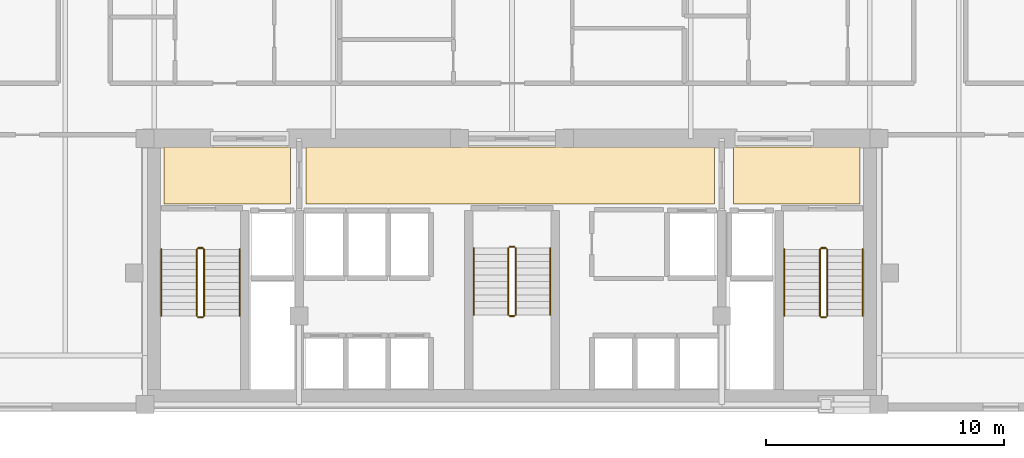
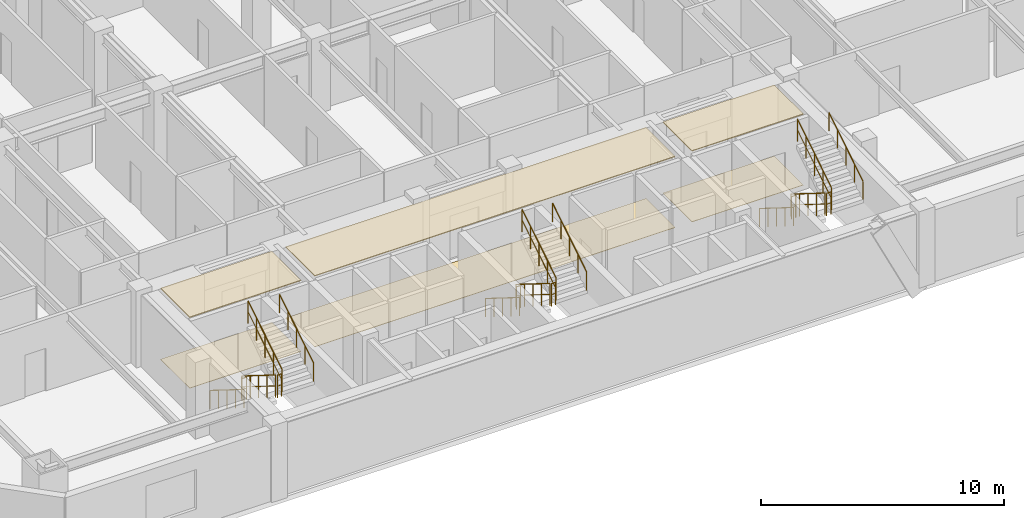
# One storey, part 9 of 10: 18 railings, 6 coverings.
"""IFC4 building model written with IfcOpenShell, lengths in metres."""

from ifc_helpers import new_model, si_unit, direction, frame, origin, origin_2d, place, context, subcontext, project, spatial, polyline, circle, outline, extrude, material, layer, layer_set, type_object, element, save


model = new_model("IFC4")

# Units and contexts
model_context = context("Model", 3, precision=1e-05, world=origin(), true_north=direction((0.0, 1.0)))
body_context = subcontext(model_context, "Body", "Model", "MODEL_VIEW")
ifc_project = project(units=[si_unit("LENGTHUNIT", "METRE"), si_unit("AREAUNIT", "SQUARE_METRE"), si_unit("VOLUMEUNIT", "CUBIC_METRE"), si_unit("PLANEANGLEUNIT", "RADIAN"), si_unit("MASSUNIT", "GRAM", prefix="KILO")], contexts=[model_context])

# Site, building, storey
site_placement = place(None, origin())
site = spatial("IfcSite", under=ifc_project, at=site_placement, CompositionType="ELEMENT")
building_placement = place(site_placement, origin())
building = spatial("IfcBuilding", under=site, at=building_placement, Name="Ventersveld Concourse Tower", CompositionType="ELEMENT")
storey_placement = place(building_placement, frame((0.0, 0.0, 60.60009765625)))
storey = spatial("IfcBuildingStorey", under=building, at=storey_placement, Name="L14", CompositionType="ELEMENT", Elevation=60.60009765625)

# Coverings
ifc_material_1 = material(Name="Mineral-fibre acoustic ceiling tile", Category="gypsum")
ifc_layer_1 = layer(ifc_material_1, 0.0400390625)
ifc_layer_set_1 = layer_set([ifc_layer_1], Name="Mineral-fibre acoustic ceiling tile")
covering_type_1 = type_object("IfcCoveringType", Name="COV-CEIL-ACOUSTIC", PredefinedType="CEILING", material=ifc_layer_set_1)
covering_1_placement = place(storey_placement, frame((0.0, 0.0, 3.559814453125)))
element("IfcCovering", 1, at=covering_1_placement, inside=storey, type_object=covering_type_1, Name="L14 North Lift Lobby Acoustic Ceiling", PredefinedType="CEILING", context=body_context, shape_type="SweptSolid", body=[
    extrude(outline(polyline([(20.10009765625, 8.699951171875), (37.25, 8.699951171875), (37.25, 11.10009765625), (20.10009765625, 11.10009765625), (20.10009765625, 8.699951171875)])), origin(), (0.0, 0.0, 1.0), 0.0400390625),
])
covering_2_placement = place(storey_placement, frame((0.0, 0.0, 3.559814453125)))
element("IfcCovering", 2, at=covering_2_placement, inside=storey, type_object=covering_type_1, Name="L14 West Firefighting Lobby Acoustic Ceiling", PredefinedType="CEILING", context=body_context, shape_type="SweptSolid", body=[
    extrude(outline(polyline([(14.14990234375, 8.699951171875), (19.449951171875, 8.699951171875), (19.449951171875, 11.10009765625), (14.14990234375, 11.10009765625), (14.14990234375, 8.699951171875)])), origin(), (0.0, 0.0, 1.0), 0.0400390625),
])
covering_3_placement = place(storey_placement, frame((0.0, 0.0, 3.559814453125)))
element("IfcCovering", 3, at=covering_3_placement, inside=storey, type_object=covering_type_1, Name="L14 East Firefighting Lobby Acoustic Ceiling", PredefinedType="CEILING", context=body_context, shape_type="SweptSolid", body=[
    extrude(outline(polyline([(38.050048828125, 8.699951171875), (43.35009765625, 8.699951171875), (43.35009765625, 11.10009765625), (38.050048828125, 11.10009765625), (38.050048828125, 8.699951171875)])), origin(), (0.0, 0.0, 1.0), 0.0400390625),
])
ifc_material_2 = material(Name="Polished Highveld granite terrazzo", Category="masonry")
ifc_layer_2 = layer(ifc_material_2, 0.02001953125)
ifc_layer_set_2 = layer_set([ifc_layer_2], Name="Polished Highveld granite terrazzo")
covering_type_2 = type_object("IfcCoveringType", Name="COV-FLOOR-TERRAZZO", PredefinedType="FLOORING", material=ifc_layer_set_2)
covering_4_placement = place(storey_placement, origin())
element("IfcCovering", 4, at=covering_4_placement, inside=storey, type_object=covering_type_2, Name="L14 North Lift Lobby Terrazzo Flooring", PredefinedType="FLOORING", context=body_context, shape_type="SweptSolid", body=[
    extrude(outline(polyline([(20.10009765625, 8.699951171875), (37.25, 8.699951171875), (37.25, 11.10009765625), (20.10009765625, 11.10009765625), (20.10009765625, 8.699951171875)])), origin(), (0.0, 0.0, 1.0), 0.02001953125),
])
covering_5_placement = place(storey_placement, origin())
element("IfcCovering", 5, at=covering_5_placement, inside=storey, type_object=covering_type_2, Name="L14 West Firefighting Lobby Terrazzo Flooring", PredefinedType="FLOORING", context=body_context, shape_type="SweptSolid", body=[
    extrude(outline(polyline([(14.14990234375, 8.699951171875), (19.449951171875, 8.699951171875), (19.449951171875, 11.10009765625), (14.14990234375, 11.10009765625), (14.14990234375, 8.699951171875)])), origin(), (0.0, 0.0, 1.0), 0.02001953125),
])
covering_6_placement = place(storey_placement, origin())
element("IfcCovering", 6, at=covering_6_placement, inside=storey, type_object=covering_type_2, Name="L14 East Firefighting Lobby Terrazzo Flooring", PredefinedType="FLOORING", context=body_context, shape_type="SweptSolid", body=[
    extrude(outline(polyline([(38.050048828125, 8.699951171875), (43.35009765625, 8.699951171875), (43.35009765625, 11.10009765625), (38.050048828125, 11.10009765625), (38.050048828125, 8.699951171875)])), origin(), (0.0, 0.0, 1.0), 0.02001953125),
])

# Railings
ifc_material_3 = material(Name="Brushed stainless steel 316", Category="steel")
railing_type_1 = type_object("IfcRailingType", Name="GD-BAL-115", PredefinedType="GUARDRAIL", material=ifc_material_3)
railing_1_placement = place(storey_placement, frame((15.530029296875, 6.800048828125, 0.1748046875)))
element("IfcRailing", 7, at=railing_1_placement, inside=storey, type_object=railing_type_1, Name="L14 ST-01 stair guard 1", PredefinedType="GUARDRAIL", context=body_context, shape_type="SweptSolid", body=[
    extrude(circle(Radius=0.02392578125, at=origin_2d()), frame((0.0, 0.0, 1.1259765625), z_axis=(0.0, -0.848002457836, 0.529992293815), x_axis=(1.0, 0.0, 0.0)), (0.0, 0.0, 1.0), 3.302001953125),
    extrude(circle(Radius=0.01611328125, at=origin_2d()), frame((0.0, 0.0, 0.574951171875), z_axis=(0.0, -0.848002457836, 0.529992293815), x_axis=(1.0, 0.0, 0.0)), (0.0, 0.0, 1.0), 3.302001953125),
    extrude(circle(Radius=0.02099609375, at=origin_2d()), origin(), (0.0, 0.0, 1.0), 1.101806640625),
    extrude(circle(Radius=0.02099609375, at=origin_2d()), frame((0.0, -0.699951171875, 0.4375)), (0.0, 0.0, 1.0), 1.101806640625),
    extrude(circle(Radius=0.02099609375, at=origin_2d()), frame((0.0, -1.39990234375, 0.875)), (0.0, 0.0, 1.0), 1.101806640625),
    extrude(circle(Radius=0.02099609375, at=origin_2d()), frame((0.0, -2.10009765625, 1.3125)), (0.0, 0.0, 1.0), 1.101806640625),
    extrude(circle(Radius=0.02099609375, at=origin_2d()), frame((0.0, -2.800048828125, 1.75)), (0.0, 0.0, 1.0), 1.101806640625),
])
railing_2_placement = place(storey_placement, frame((15.580078125, 3.949951171875, 1.9248046875)))
element("IfcRailing", 8, at=railing_2_placement, inside=storey, type_object=railing_type_1, Name="L14 ST-01 stair guard 2", PredefinedType="GUARDRAIL", context=body_context, shape_type="SweptSolid", body=[
    extrude(circle(Radius=0.02392578125, at=origin_2d()), frame((0.0, 0.0, 1.1259765625), z_axis=(1.0, 0.0, 0.0), x_axis=(0.0, 1.0, 0.0)), (0.0, 0.0, 1.0), 0.199951171875),
    extrude(circle(Radius=0.01611328125, at=origin_2d()), frame((0.0, 0.0, 0.574951171875), z_axis=(1.0, 0.0, 0.0), x_axis=(0.0, 1.0, 0.0)), (0.0, 0.0, 1.0), 0.199951171875),
    extrude(circle(Radius=0.02099609375, at=origin_2d()), origin(), (0.0, 0.0, 1.0), 1.101806640625),
    extrude(circle(Radius=0.02099609375, at=origin_2d()), frame((0.199951171875, 0.0, 0.0)), (0.0, 0.0, 1.0), 1.101806640625),
])
railing_3_placement = place(storey_placement, frame((15.830078125, 4.0, 2.099853515625)))
element("IfcRailing", 9, at=railing_3_placement, inside=storey, type_object=railing_type_1, Name="L14 ST-01 stair guard 3", PredefinedType="GUARDRAIL", context=body_context, shape_type="SweptSolid", body=[
    extrude(circle(Radius=0.02392578125, at=origin_2d()), frame((0.0, 0.0, 1.1259765625), z_axis=(0.0, 0.848002457836, 0.529992293815), x_axis=(-1.0, 0.0, 0.0)), (0.0, 0.0, 1.0), 3.302001953125),
    extrude(circle(Radius=0.01611328125, at=origin_2d()), frame((0.0, 0.0, 0.574951171875), z_axis=(0.0, 0.848002457836, 0.529992293815), x_axis=(-1.0, 0.0, 0.0)), (0.0, 0.0, 1.0), 3.302001953125),
    extrude(circle(Radius=0.02099609375, at=origin_2d()), origin(), (0.0, 0.0, 1.0), 1.101806640625),
    extrude(circle(Radius=0.02099609375, at=origin_2d()), frame((0.0, 0.699951171875, 0.4375)), (0.0, 0.0, 1.0), 1.101806640625),
    extrude(circle(Radius=0.02099609375, at=origin_2d()), frame((0.0, 1.39990234375, 0.875)), (0.0, 0.0, 1.0), 1.101806640625),
    extrude(circle(Radius=0.02099609375, at=origin_2d()), frame((0.0, 2.10009765625, 1.3125)), (0.0, 0.0, 1.0), 1.101806640625),
    extrude(circle(Radius=0.02099609375, at=origin_2d()), frame((0.0, 2.800048828125, 1.75)), (0.0, 0.0, 1.0), 1.101806640625),
])
railing_4_placement = place(storey_placement, frame((15.580078125, 6.85009765625, 0.0)))
element("IfcRailing", 10, at=railing_4_placement, inside=storey, type_object=railing_type_1, Name="L14 ST-01 stair guard 4", PredefinedType="GUARDRAIL", context=body_context, shape_type="SweptSolid", body=[
    extrude(circle(Radius=0.02392578125, at=origin_2d()), frame((0.0, 0.0, 1.1259765625), z_axis=(1.0, 0.0, 0.0), x_axis=(0.0, 1.0, 0.0)), (0.0, 0.0, 1.0), 0.199951171875),
    extrude(circle(Radius=0.01611328125, at=origin_2d()), frame((0.0, 0.0, 0.574951171875), z_axis=(1.0, 0.0, 0.0), x_axis=(0.0, 1.0, 0.0)), (0.0, 0.0, 1.0), 0.199951171875),
    extrude(circle(Radius=0.02099609375, at=origin_2d()), origin(), (0.0, 0.0, 1.0), 1.101806640625),
    extrude(circle(Radius=0.02099609375, at=origin_2d()), frame((0.199951171875, 0.0, 0.0)), (0.0, 0.0, 1.0), 1.101806640625),
])
railing_5_placement = place(storey_placement, frame((41.669921875, 6.800048828125, 0.1748046875)))
element("IfcRailing", 11, at=railing_5_placement, inside=storey, type_object=railing_type_1, Name="L14 ST-02 stair guard 1", PredefinedType="GUARDRAIL", context=body_context, shape_type="SweptSolid", body=[
    extrude(circle(Radius=0.02392578125, at=origin_2d()), frame((0.0, 0.0, 1.1259765625), z_axis=(0.0, -0.848002457836, 0.529992293815), x_axis=(1.0, 0.0, 0.0)), (0.0, 0.0, 1.0), 3.302001953125),
    extrude(circle(Radius=0.01611328125, at=origin_2d()), frame((0.0, 0.0, 0.574951171875), z_axis=(0.0, -0.848002457836, 0.529992293815), x_axis=(1.0, 0.0, 0.0)), (0.0, 0.0, 1.0), 3.302001953125),
    extrude(circle(Radius=0.02099609375, at=origin_2d()), origin(), (0.0, 0.0, 1.0), 1.101806640625),
    extrude(circle(Radius=0.02099609375, at=origin_2d()), frame((0.0, -0.699951171875, 0.4375)), (0.0, 0.0, 1.0), 1.101806640625),
    extrude(circle(Radius=0.02099609375, at=origin_2d()), frame((0.0, -1.39990234375, 0.875)), (0.0, 0.0, 1.0), 1.101806640625),
    extrude(circle(Radius=0.02099609375, at=origin_2d()), frame((0.0, -2.10009765625, 1.3125)), (0.0, 0.0, 1.0), 1.101806640625),
    extrude(circle(Radius=0.02099609375, at=origin_2d()), frame((0.0, -2.800048828125, 1.75)), (0.0, 0.0, 1.0), 1.101806640625),
])
railing_6_placement = place(storey_placement, frame((41.719970703125, 3.949951171875, 1.9248046875)))
element("IfcRailing", 12, at=railing_6_placement, inside=storey, type_object=railing_type_1, Name="L14 ST-02 stair guard 2", PredefinedType="GUARDRAIL", context=body_context, shape_type="SweptSolid", body=[
    extrude(circle(Radius=0.02392578125, at=origin_2d()), frame((0.0, 0.0, 1.1259765625), z_axis=(1.0, 0.0, 0.0), x_axis=(0.0, 1.0, 0.0)), (0.0, 0.0, 1.0), 0.199951171875),
    extrude(circle(Radius=0.01611328125, at=origin_2d()), frame((0.0, 0.0, 0.574951171875), z_axis=(1.0, 0.0, 0.0), x_axis=(0.0, 1.0, 0.0)), (0.0, 0.0, 1.0), 0.199951171875),
    extrude(circle(Radius=0.02099609375, at=origin_2d()), origin(), (0.0, 0.0, 1.0), 1.101806640625),
    extrude(circle(Radius=0.02099609375, at=origin_2d()), frame((0.199951171875, 0.0, 0.0)), (0.0, 0.0, 1.0), 1.101806640625),
])
railing_7_placement = place(storey_placement, frame((41.969970703125, 4.0, 2.099853515625)))
element("IfcRailing", 13, at=railing_7_placement, inside=storey, type_object=railing_type_1, Name="L14 ST-02 stair guard 3", PredefinedType="GUARDRAIL", context=body_context, shape_type="SweptSolid", body=[
    extrude(circle(Radius=0.02392578125, at=origin_2d()), frame((0.0, 0.0, 1.1259765625), z_axis=(0.0, 0.848002457836, 0.529992293815), x_axis=(-1.0, 0.0, 0.0)), (0.0, 0.0, 1.0), 3.302001953125),
    extrude(circle(Radius=0.01611328125, at=origin_2d()), frame((0.0, 0.0, 0.574951171875), z_axis=(0.0, 0.848002457836, 0.529992293815), x_axis=(-1.0, 0.0, 0.0)), (0.0, 0.0, 1.0), 3.302001953125),
    extrude(circle(Radius=0.02099609375, at=origin_2d()), origin(), (0.0, 0.0, 1.0), 1.101806640625),
    extrude(circle(Radius=0.02099609375, at=origin_2d()), frame((0.0, 0.699951171875, 0.4375)), (0.0, 0.0, 1.0), 1.101806640625),
    extrude(circle(Radius=0.02099609375, at=origin_2d()), frame((0.0, 1.39990234375, 0.875)), (0.0, 0.0, 1.0), 1.101806640625),
    extrude(circle(Radius=0.02099609375, at=origin_2d()), frame((0.0, 2.10009765625, 1.3125)), (0.0, 0.0, 1.0), 1.101806640625),
    extrude(circle(Radius=0.02099609375, at=origin_2d()), frame((0.0, 2.800048828125, 1.75)), (0.0, 0.0, 1.0), 1.101806640625),
])
railing_8_placement = place(storey_placement, frame((41.719970703125, 6.85009765625, 0.0)))
element("IfcRailing", 14, at=railing_8_placement, inside=storey, type_object=railing_type_1, Name="L14 ST-02 stair guard 4", PredefinedType="GUARDRAIL", context=body_context, shape_type="SweptSolid", body=[
    extrude(circle(Radius=0.02392578125, at=origin_2d()), frame((0.0, 0.0, 1.1259765625), z_axis=(1.0, 0.0, 0.0), x_axis=(0.0, 1.0, 0.0)), (0.0, 0.0, 1.0), 0.199951171875),
    extrude(circle(Radius=0.01611328125, at=origin_2d()), frame((0.0, 0.0, 0.574951171875), z_axis=(1.0, 0.0, 0.0), x_axis=(0.0, 1.0, 0.0)), (0.0, 0.0, 1.0), 0.199951171875),
    extrude(circle(Radius=0.02099609375, at=origin_2d()), origin(), (0.0, 0.0, 1.0), 1.101806640625),
    extrude(circle(Radius=0.02099609375, at=origin_2d()), frame((0.199951171875, 0.0, 0.0)), (0.0, 0.0, 1.0), 1.101806640625),
])
railing_9_placement = place(storey_placement, frame((28.60009765625, 6.85009765625, 0.1748046875)))
element("IfcRailing", 15, at=railing_9_placement, inside=storey, type_object=railing_type_1, Name="L14 ST-03 stair guard 1", PredefinedType="GUARDRAIL", context=body_context, shape_type="SweptSolid", body=[
    extrude(circle(Radius=0.02392578125, at=origin_2d()), frame((0.0, 0.0, 1.1259765625), z_axis=(0.0, -0.848002457836, 0.529992293815), x_axis=(1.0, 0.0, 0.0)), (0.0, 0.0, 1.0), 3.302001953125),
    extrude(circle(Radius=0.01611328125, at=origin_2d()), frame((0.0, 0.0, 0.574951171875), z_axis=(0.0, -0.848002457836, 0.529992293815), x_axis=(1.0, 0.0, 0.0)), (0.0, 0.0, 1.0), 3.302001953125),
    extrude(circle(Radius=0.02099609375, at=origin_2d()), origin(), (0.0, 0.0, 1.0), 1.101806640625),
    extrude(circle(Radius=0.02099609375, at=origin_2d()), frame((0.0, -0.699951171875, 0.4375)), (0.0, 0.0, 1.0), 1.101806640625),
    extrude(circle(Radius=0.02099609375, at=origin_2d()), frame((0.0, -1.39990234375, 0.875)), (0.0, 0.0, 1.0), 1.101806640625),
    extrude(circle(Radius=0.02099609375, at=origin_2d()), frame((0.0, -2.10009765625, 1.3125)), (0.0, 0.0, 1.0), 1.101806640625),
    extrude(circle(Radius=0.02099609375, at=origin_2d()), frame((0.0, -2.800048828125, 1.75)), (0.0, 0.0, 1.0), 1.101806640625),
])
railing_10_placement = place(storey_placement, frame((28.64990234375, 4.0, 1.9248046875)))
element("IfcRailing", 16, at=railing_10_placement, inside=storey, type_object=railing_type_1, Name="L14 ST-03 stair guard 2", PredefinedType="GUARDRAIL", context=body_context, shape_type="SweptSolid", body=[
    extrude(circle(Radius=0.02392578125, at=origin_2d()), frame((0.0, 0.0, 1.1259765625), z_axis=(1.0, 0.0, 0.0), x_axis=(0.0, 1.0, 0.0)), (0.0, 0.0, 1.0), 0.2001953125),
    extrude(circle(Radius=0.01611328125, at=origin_2d()), frame((0.0, 0.0, 0.574951171875), z_axis=(1.0, 0.0, 0.0), x_axis=(0.0, 1.0, 0.0)), (0.0, 0.0, 1.0), 0.2001953125),
    extrude(circle(Radius=0.02099609375, at=origin_2d()), origin(), (0.0, 0.0, 1.0), 1.101806640625),
    extrude(circle(Radius=0.02099609375, at=origin_2d()), frame((0.2001953125, 0.0, 0.0)), (0.0, 0.0, 1.0), 1.101806640625),
])
railing_11_placement = place(storey_placement, frame((28.89990234375, 4.050048828125, 2.099853515625)))
element("IfcRailing", 17, at=railing_11_placement, inside=storey, type_object=railing_type_1, Name="L14 ST-03 stair guard 3", PredefinedType="GUARDRAIL", context=body_context, shape_type="SweptSolid", body=[
    extrude(circle(Radius=0.02392578125, at=origin_2d()), frame((0.0, 0.0, 1.1259765625), z_axis=(0.0, 0.848002457836, 0.529992293815), x_axis=(-1.0, 0.0, 0.0)), (0.0, 0.0, 1.0), 3.302001953125),
    extrude(circle(Radius=0.01611328125, at=origin_2d()), frame((0.0, 0.0, 0.574951171875), z_axis=(0.0, 0.848002457836, 0.529992293815), x_axis=(-1.0, 0.0, 0.0)), (0.0, 0.0, 1.0), 3.302001953125),
    extrude(circle(Radius=0.02099609375, at=origin_2d()), origin(), (0.0, 0.0, 1.0), 1.101806640625),
    extrude(circle(Radius=0.02099609375, at=origin_2d()), frame((0.0, 0.699951171875, 0.4375)), (0.0, 0.0, 1.0), 1.101806640625),
    extrude(circle(Radius=0.02099609375, at=origin_2d()), frame((0.0, 1.39990234375, 0.875)), (0.0, 0.0, 1.0), 1.101806640625),
    extrude(circle(Radius=0.02099609375, at=origin_2d()), frame((0.0, 2.10009765625, 1.3125)), (0.0, 0.0, 1.0), 1.101806640625),
    extrude(circle(Radius=0.02099609375, at=origin_2d()), frame((0.0, 2.800048828125, 1.75)), (0.0, 0.0, 1.0), 1.101806640625),
])
railing_12_placement = place(storey_placement, frame((28.64990234375, 6.89990234375, 0.0)))
element("IfcRailing", 18, at=railing_12_placement, inside=storey, type_object=railing_type_1, Name="L14 ST-03 stair guard 4", PredefinedType="GUARDRAIL", context=body_context, shape_type="SweptSolid", body=[
    extrude(circle(Radius=0.02392578125, at=origin_2d()), frame((0.0, 0.0, 1.1259765625), z_axis=(1.0, 0.0, 0.0), x_axis=(0.0, 1.0, 0.0)), (0.0, 0.0, 1.0), 0.2001953125),
    extrude(circle(Radius=0.01611328125, at=origin_2d()), frame((0.0, 0.0, 0.574951171875), z_axis=(1.0, 0.0, 0.0), x_axis=(0.0, 1.0, 0.0)), (0.0, 0.0, 1.0), 0.2001953125),
    extrude(circle(Radius=0.02099609375, at=origin_2d()), origin(), (0.0, 0.0, 1.0), 1.101806640625),
    extrude(circle(Radius=0.02099609375, at=origin_2d()), frame((0.2001953125, 0.0, 0.0)), (0.0, 0.0, 1.0), 1.101806640625),
])
railing_type_2 = type_object("IfcRailingType", Name="HR-RMP-095", PredefinedType="HANDRAIL", material=ifc_material_3)
railing_13_placement = place(storey_placement, frame((14.030029296875, 6.800048828125, 0.1748046875)))
element("IfcRailing", 19, at=railing_13_placement, inside=storey, type_object=railing_type_2, Name="L14 ST-01 stair handrail 1", PredefinedType="HANDRAIL", context=body_context, shape_type="SweptSolid", body=[
    extrude(circle(Radius=0.02392578125, at=origin_2d()), frame((0.0, 0.0, 0.92578125), z_axis=(0.0, -0.848002457836, 0.529992293815), x_axis=(1.0, 0.0, 0.0)), (0.0, 0.0, 1.0), 3.302001953125),
    extrude(circle(Radius=0.02099609375, at=origin_2d()), origin(), (0.0, 0.0, 1.0), 0.90185546875),
    extrude(circle(Radius=0.02099609375, at=origin_2d()), frame((0.0, -0.699951171875, 0.4375)), (0.0, 0.0, 1.0), 0.90185546875),
    extrude(circle(Radius=0.02099609375, at=origin_2d()), frame((0.0, -1.39990234375, 0.875)), (0.0, 0.0, 1.0), 0.90185546875),
    extrude(circle(Radius=0.02099609375, at=origin_2d()), frame((0.0, -2.10009765625, 1.3125)), (0.0, 0.0, 1.0), 0.90185546875),
    extrude(circle(Radius=0.02099609375, at=origin_2d()), frame((0.0, -2.800048828125, 1.75)), (0.0, 0.0, 1.0), 0.90185546875),
])
railing_14_placement = place(storey_placement, frame((17.330078125, 4.0, 2.099853515625)))
element("IfcRailing", 20, at=railing_14_placement, inside=storey, type_object=railing_type_2, Name="L14 ST-01 stair handrail 2", PredefinedType="HANDRAIL", context=body_context, shape_type="SweptSolid", body=[
    extrude(circle(Radius=0.02392578125, at=origin_2d()), frame((0.0, 0.0, 0.92578125), z_axis=(0.0, 0.848002457836, 0.529992293815), x_axis=(-1.0, 0.0, 0.0)), (0.0, 0.0, 1.0), 3.302001953125),
    extrude(circle(Radius=0.02099609375, at=origin_2d()), origin(), (0.0, 0.0, 1.0), 0.90185546875),
    extrude(circle(Radius=0.02099609375, at=origin_2d()), frame((0.0, 0.699951171875, 0.4375)), (0.0, 0.0, 1.0), 0.90185546875),
    extrude(circle(Radius=0.02099609375, at=origin_2d()), frame((0.0, 1.39990234375, 0.875)), (0.0, 0.0, 1.0), 0.90185546875),
    extrude(circle(Radius=0.02099609375, at=origin_2d()), frame((0.0, 2.10009765625, 1.3125)), (0.0, 0.0, 1.0), 0.90185546875),
    extrude(circle(Radius=0.02099609375, at=origin_2d()), frame((0.0, 2.800048828125, 1.75)), (0.0, 0.0, 1.0), 0.90185546875),
])
railing_15_placement = place(storey_placement, frame((40.169921875, 6.800048828125, 0.1748046875)))
element("IfcRailing", 21, at=railing_15_placement, inside=storey, type_object=railing_type_2, Name="L14 ST-02 stair handrail 1", PredefinedType="HANDRAIL", context=body_context, shape_type="SweptSolid", body=[
    extrude(circle(Radius=0.02392578125, at=origin_2d()), frame((0.0, 0.0, 0.92578125), z_axis=(0.0, -0.848002457836, 0.529992293815), x_axis=(1.0, 0.0, 0.0)), (0.0, 0.0, 1.0), 3.302001953125),
    extrude(circle(Radius=0.02099609375, at=origin_2d()), origin(), (0.0, 0.0, 1.0), 0.90185546875),
    extrude(circle(Radius=0.02099609375, at=origin_2d()), frame((0.0, -0.699951171875, 0.4375)), (0.0, 0.0, 1.0), 0.90185546875),
    extrude(circle(Radius=0.02099609375, at=origin_2d()), frame((0.0, -1.39990234375, 0.875)), (0.0, 0.0, 1.0), 0.90185546875),
    extrude(circle(Radius=0.02099609375, at=origin_2d()), frame((0.0, -2.10009765625, 1.3125)), (0.0, 0.0, 1.0), 0.90185546875),
    extrude(circle(Radius=0.02099609375, at=origin_2d()), frame((0.0, -2.800048828125, 1.75)), (0.0, 0.0, 1.0), 0.90185546875),
])
railing_16_placement = place(storey_placement, frame((43.469970703125, 4.0, 2.099853515625)))
element("IfcRailing", 22, at=railing_16_placement, inside=storey, type_object=railing_type_2, Name="L14 ST-02 stair handrail 2", PredefinedType="HANDRAIL", context=body_context, shape_type="SweptSolid", body=[
    extrude(circle(Radius=0.02392578125, at=origin_2d()), frame((0.0, 0.0, 0.92578125), z_axis=(0.0, 0.848002457836, 0.529992293815), x_axis=(-1.0, 0.0, 0.0)), (0.0, 0.0, 1.0), 3.302001953125),
    extrude(circle(Radius=0.02099609375, at=origin_2d()), origin(), (0.0, 0.0, 1.0), 0.90185546875),
    extrude(circle(Radius=0.02099609375, at=origin_2d()), frame((0.0, 0.699951171875, 0.4375)), (0.0, 0.0, 1.0), 0.90185546875),
    extrude(circle(Radius=0.02099609375, at=origin_2d()), frame((0.0, 1.39990234375, 0.875)), (0.0, 0.0, 1.0), 0.90185546875),
    extrude(circle(Radius=0.02099609375, at=origin_2d()), frame((0.0, 2.10009765625, 1.3125)), (0.0, 0.0, 1.0), 0.90185546875),
    extrude(circle(Radius=0.02099609375, at=origin_2d()), frame((0.0, 2.800048828125, 1.75)), (0.0, 0.0, 1.0), 0.90185546875),
])
railing_17_placement = place(storey_placement, frame((27.14990234375, 6.85009765625, 0.1748046875)))
element("IfcRailing", 23, at=railing_17_placement, inside=storey, type_object=railing_type_2, Name="L14 ST-03 stair handrail 1", PredefinedType="HANDRAIL", context=body_context, shape_type="SweptSolid", body=[
    extrude(circle(Radius=0.02392578125, at=origin_2d()), frame((0.0, 0.0, 0.92578125), z_axis=(0.0, -0.848002457836, 0.529992293815), x_axis=(1.0, 0.0, 0.0)), (0.0, 0.0, 1.0), 3.302001953125),
    extrude(circle(Radius=0.02099609375, at=origin_2d()), origin(), (0.0, 0.0, 1.0), 0.90185546875),
    extrude(circle(Radius=0.02099609375, at=origin_2d()), frame((0.0, -0.699951171875, 0.4375)), (0.0, 0.0, 1.0), 0.90185546875),
    extrude(circle(Radius=0.02099609375, at=origin_2d()), frame((0.0, -1.39990234375, 0.875)), (0.0, 0.0, 1.0), 0.90185546875),
    extrude(circle(Radius=0.02099609375, at=origin_2d()), frame((0.0, -2.10009765625, 1.3125)), (0.0, 0.0, 1.0), 0.90185546875),
    extrude(circle(Radius=0.02099609375, at=origin_2d()), frame((0.0, -2.800048828125, 1.75)), (0.0, 0.0, 1.0), 0.90185546875),
])
railing_18_placement = place(storey_placement, frame((30.35009765625, 4.050048828125, 2.099853515625)))
element("IfcRailing", 24, at=railing_18_placement, inside=storey, type_object=railing_type_2, Name="L14 ST-03 stair handrail 2", PredefinedType="HANDRAIL", context=body_context, shape_type="SweptSolid", body=[
    extrude(circle(Radius=0.02392578125, at=origin_2d()), frame((0.0, 0.0, 0.92578125), z_axis=(0.0, 0.848002457836, 0.529992293815), x_axis=(-1.0, 0.0, 0.0)), (0.0, 0.0, 1.0), 3.302001953125),
    extrude(circle(Radius=0.02099609375, at=origin_2d()), origin(), (0.0, 0.0, 1.0), 0.90185546875),
    extrude(circle(Radius=0.02099609375, at=origin_2d()), frame((0.0, 0.699951171875, 0.4375)), (0.0, 0.0, 1.0), 0.90185546875),
    extrude(circle(Radius=0.02099609375, at=origin_2d()), frame((0.0, 1.39990234375, 0.875)), (0.0, 0.0, 1.0), 0.90185546875),
    extrude(circle(Radius=0.02099609375, at=origin_2d()), frame((0.0, 2.10009765625, 1.3125)), (0.0, 0.0, 1.0), 0.90185546875),
    extrude(circle(Radius=0.02099609375, at=origin_2d()), frame((0.0, 2.800048828125, 1.75)), (0.0, 0.0, 1.0), 0.90185546875),
])

save(model, "model.ifc")
